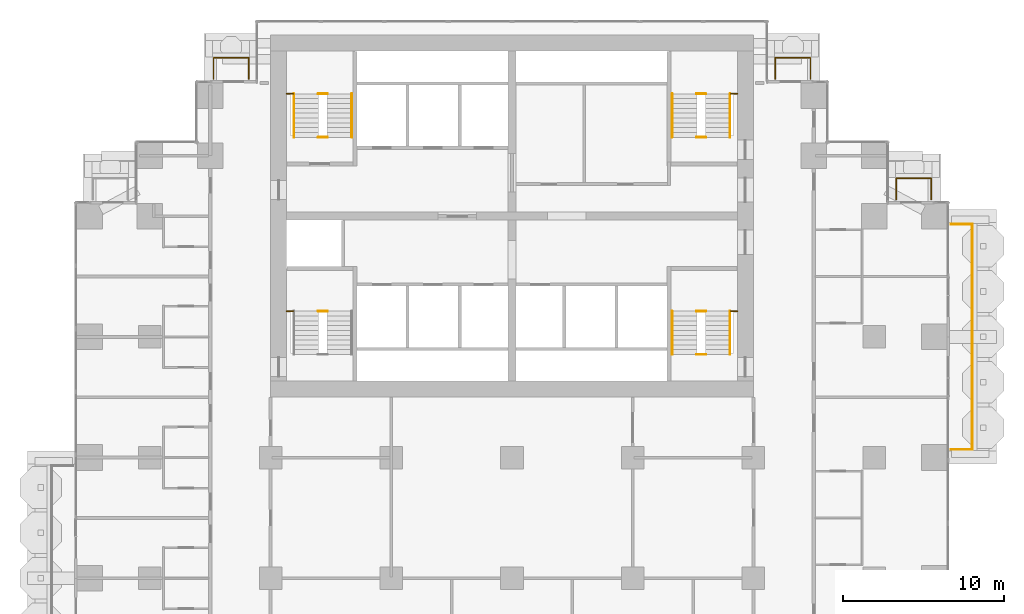
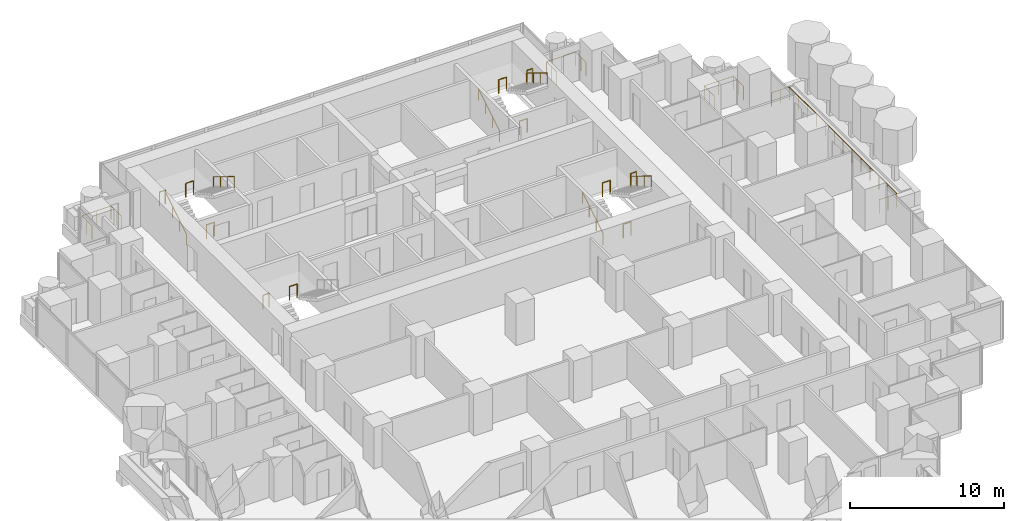
# One storey, part 17 of 18: 21 railings.
"""IFC4 building model written with IfcOpenShell, lengths in metres."""

from ifc_helpers import new_model, si_unit, direction, frame, origin, origin_2d, place, context, subcontext, project, spatial, circle, extrude, material, type_object, element, save


model = new_model("IFC4")

# Units and contexts
model_context = context("Model", 3, precision=1e-05, world=origin(), true_north=direction((0.0, 1.0)))
body_context = subcontext(model_context, "Body", "Model", "MODEL_VIEW")
ifc_project = project(units=[si_unit("LENGTHUNIT", "METRE"), si_unit("AREAUNIT", "SQUARE_METRE"), si_unit("VOLUMEUNIT", "CUBIC_METRE"), si_unit("PLANEANGLEUNIT", "RADIAN"), si_unit("MASSUNIT", "GRAM", prefix="KILO")], contexts=[model_context])

# Site, building, storey
site_placement = place(None, origin())
site = spatial("IfcSite", under=ifc_project, at=site_placement, CompositionType="ELEMENT")
building_placement = place(site_placement, origin())
building = spatial("IfcBuilding", under=site, at=building_placement, Name="Pilkhan Gate Tower", CompositionType="ELEMENT")
storey_placement = place(building_placement, frame((0.0, 0.0, 52.699951171875)))
storey = spatial("IfcBuildingStorey", under=building, at=storey_placement, Name="L10", CompositionType="ELEMENT", Elevation=52.699951171875)

# Railings
ifc_material_1 = material(Name="Pale anodised aluminium posts, laminated glass infill", Category="aluminium")
railing_type_1 = type_object("IfcRailingType", Name="Balcony guard G1", PredefinedType="BALUSTRADE", material=ifc_material_1)
railing_1_placement = place(storey_placement, frame((102.27001953125, 68.0, 0.0)))
element("IfcRailing", 1, at=railing_1_placement, inside=storey, type_object=railing_type_1, Name="Balcony guard L10 E", PredefinedType="BALUSTRADE", context=body_context, shape_type="SweptSolid", body=[
    extrude(circle(Radius=0.02392578125, at=origin_2d()), frame((0.0, 0.0, 1.076171875), z_axis=(1.0, 0.0, 0.0), x_axis=(0.0, 1.0, 0.0)), (0.0, 0.0, 1.0), 1.330078125),
    extrude(circle(Radius=0.02392578125, at=origin_2d()), frame((1.330078125, 0.0, 1.076171875), z_axis=(0.0, 1.0, 0.0), x_axis=(-1.0, 0.0, 0.0)), (0.0, 0.0, 1.0), 14.0),
    extrude(circle(Radius=0.02392578125, at=origin_2d()), frame((1.330078125, 14.0, 1.076171875), z_axis=(-1.0, 0.0, 0.0), x_axis=(0.0, -1.0, 0.0)), (0.0, 0.0, 1.0), 1.330078125),
    extrude(circle(Radius=0.02099609375, at=origin_2d()), origin(), (0.0, 0.0, 1.0), 1.052001953125),
    extrude(circle(Radius=0.02099609375, at=origin_2d()), frame((0.6650390625, 0.0, 0.0)), (0.0, 0.0, 1.0), 1.052001953125),
    extrude(circle(Radius=0.02099609375, at=origin_2d()), frame((1.330078125, 0.0, 0.0)), (0.0, 0.0, 1.0), 1.052001953125),
    extrude(circle(Radius=0.02099609375, at=origin_2d()), frame((1.330078125, 1.166748046875, 0.0)), (0.0, 0.0, 1.0), 1.052001953125),
    extrude(circle(Radius=0.02099609375, at=origin_2d()), frame((1.330078125, 2.333251953125, 0.0)), (0.0, 0.0, 1.0), 1.052001953125),
    extrude(circle(Radius=0.02099609375, at=origin_2d()), frame((1.330078125, 3.5, 0.0)), (0.0, 0.0, 1.0), 1.052001953125),
    extrude(circle(Radius=0.02099609375, at=origin_2d()), frame((1.330078125, 4.666748046875, 0.0)), (0.0, 0.0, 1.0), 1.052001953125),
    extrude(circle(Radius=0.02099609375, at=origin_2d()), frame((1.330078125, 5.833251953125, 0.0)), (0.0, 0.0, 1.0), 1.052001953125),
    extrude(circle(Radius=0.02099609375, at=origin_2d()), frame((1.330078125, 7.0, 0.0)), (0.0, 0.0, 1.0), 1.052001953125),
    extrude(circle(Radius=0.02099609375, at=origin_2d()), frame((1.330078125, 8.166748046875, 0.0)), (0.0, 0.0, 1.0), 1.052001953125),
    extrude(circle(Radius=0.02099609375, at=origin_2d()), frame((1.330078125, 9.333251953125, 0.0)), (0.0, 0.0, 1.0), 1.052001953125),
    extrude(circle(Radius=0.02099609375, at=origin_2d()), frame((1.330078125, 10.5, 0.0)), (0.0, 0.0, 1.0), 1.052001953125),
    extrude(circle(Radius=0.02099609375, at=origin_2d()), frame((1.330078125, 11.666748046875, 0.0)), (0.0, 0.0, 1.0), 1.052001953125),
    extrude(circle(Radius=0.02099609375, at=origin_2d()), frame((1.330078125, 12.833251953125, 0.0)), (0.0, 0.0, 1.0), 1.052001953125),
    extrude(circle(Radius=0.02099609375, at=origin_2d()), frame((1.330078125, 14.0, 0.0)), (0.0, 0.0, 1.0), 1.052001953125),
    extrude(circle(Radius=0.02099609375, at=origin_2d()), frame((0.6650390625, 14.0, 0.0)), (0.0, 0.0, 1.0), 1.052001953125),
    extrude(circle(Radius=0.02099609375, at=origin_2d()), frame((0.0, 14.0, 0.0)), (0.0, 0.0, 1.0), 1.052001953125),
])
for number, where, name in (
    (2, (56.449951171875, 91.02001953125, 0.0), "Balcony guard L10 N"),
    (3, (91.35009765625, 91.02001953125, 0.0), "Balcony guard L10 N"),
):
    element("IfcRailing", number, at=place(storey_placement, frame(where)), inside=storey, type_object=railing_type_1, Name=name, PredefinedType="BALUSTRADE", context=body_context, shape_type="SweptSolid", body=[
        extrude(circle(Radius=0.02392578125, at=origin_2d()), frame((0.0, 0.0, 1.076171875), z_axis=(0.0, 1.0, 0.0), x_axis=(-1.0, 0.0, 0.0)), (0.0, 0.0, 1.0), 1.330078125),
        extrude(circle(Radius=0.02392578125, at=origin_2d()), frame((0.0, 1.330078125, 1.076171875), z_axis=(1.0, 0.0, 0.0), x_axis=(0.0, 1.0, 0.0)), (0.0, 0.0, 1.0), 2.199951171875),
        extrude(circle(Radius=0.02392578125, at=origin_2d()), frame((2.199951171875, 1.330078125, 1.076171875), z_axis=(0.0, -1.0, 0.0), x_axis=(1.0, 0.0, 0.0)), (0.0, 0.0, 1.0), 1.330078125),
        extrude(circle(Radius=0.02099609375, at=origin_2d()), origin(), (0.0, 0.0, 1.0), 1.052001953125),
        extrude(circle(Radius=0.02099609375, at=origin_2d()), frame((0.0, 0.6650390625, 0.0)), (0.0, 0.0, 1.0), 1.052001953125),
        extrude(circle(Radius=0.02099609375, at=origin_2d()), frame((0.0, 1.330078125, 0.0)), (0.0, 0.0, 1.0), 1.052001953125),
        extrude(circle(Radius=0.02099609375, at=origin_2d()), frame((1.10009765625, 1.330078125, 0.0)), (0.0, 0.0, 1.0), 1.052001953125),
        extrude(circle(Radius=0.02099609375, at=origin_2d()), frame((2.199951171875, 1.330078125, 0.0)), (0.0, 0.0, 1.0), 1.052001953125),
        extrude(circle(Radius=0.02099609375, at=origin_2d()), frame((2.199951171875, 0.6650390625, 0.0)), (0.0, 0.0, 1.0), 1.052001953125),
        extrude(circle(Radius=0.02099609375, at=origin_2d()), frame((2.199951171875, 0.0, 0.0)), (0.0, 0.0, 1.0), 1.052001953125),
    ])
railing_2_placement = place(storey_placement, frame((98.8701171875, 83.5400390625, 0.0)))
element("IfcRailing", 4, at=railing_2_placement, inside=storey, type_object=railing_type_1, Name="Balcony guard L10 N", PredefinedType="BALUSTRADE", context=body_context, shape_type="SweptSolid", body=[
    extrude(circle(Radius=0.02392578125, at=origin_2d()), frame((0.0, 0.0, 1.076171875), z_axis=(0.0, 1.0, 0.0), x_axis=(-1.0, 0.0, 0.0)), (0.0, 0.0, 1.0), 1.31005859375),
    extrude(circle(Radius=0.02392578125, at=origin_2d()), frame((0.0, 1.31005859375, 1.076171875), z_axis=(1.0, 0.0, 0.0), x_axis=(0.0, 1.0, 0.0)), (0.0, 0.0, 1.0), 2.179931640625),
    extrude(circle(Radius=0.02392578125, at=origin_2d()), frame((2.179931640625, 1.31005859375, 1.076171875), z_axis=(0.0, -1.0, 0.0), x_axis=(1.0, 0.0, 0.0)), (0.0, 0.0, 1.0), 1.31005859375),
    extrude(circle(Radius=0.02099609375, at=origin_2d()), origin(), (0.0, 0.0, 1.0), 1.052001953125),
    extrude(circle(Radius=0.02099609375, at=origin_2d()), frame((0.0, 0.655029296875, 0.0)), (0.0, 0.0, 1.0), 1.052001953125),
    extrude(circle(Radius=0.02099609375, at=origin_2d()), frame((0.0, 1.31005859375, 0.0)), (0.0, 0.0, 1.0), 1.052001953125),
    extrude(circle(Radius=0.02099609375, at=origin_2d()), frame((1.08984375, 1.31005859375, 0.0)), (0.0, 0.0, 1.0), 1.052001953125),
    extrude(circle(Radius=0.02099609375, at=origin_2d()), frame((2.179931640625, 1.31005859375, 0.0)), (0.0, 0.0, 1.0), 1.052001953125),
    extrude(circle(Radius=0.02099609375, at=origin_2d()), frame((2.179931640625, 0.655029296875, 0.0)), (0.0, 0.0, 1.0), 1.052001953125),
    extrude(circle(Radius=0.02099609375, at=origin_2d()), frame((2.179931640625, 0.0, 0.0)), (0.0, 0.0, 1.0), 1.052001953125),
])
ifc_material_2 = material(Name="Black powder-coated steel tube", Category="steel")
railing_type_2 = type_object("IfcRailingType", Name="Stair handrail HR1", PredefinedType="HANDRAIL", material=ifc_material_2)
railing_3_placement = place(storey_placement, frame((84.949951171875, 73.89990234375, 0.0)))
element("IfcRailing", 5, at=railing_3_placement, inside=storey, type_object=railing_type_2, Name="Stair ST1 handrail L10", PredefinedType="HANDRAIL", context=body_context, shape_type="SweptSolid", body=[
    extrude(circle(Radius=0.02392578125, at=origin_2d()), frame((0.0, 0.0, 0.8759765625), z_axis=(0.0, 0.853278019476, 0.521456250781), x_axis=(-1.0, 0.0, 0.0)), (0.0, 0.0, 1.0), 3.16455078125),
    extrude(circle(Radius=0.02099609375, at=origin_2d()), origin(), (0.0, 0.0, 1.0), 0.851806640625),
    extrude(circle(Radius=0.02099609375, at=origin_2d()), frame((0.0, 0.900146484375, 0.550048828125)), (0.0, 0.0, 1.0), 0.851806640625),
    extrude(circle(Radius=0.02099609375, at=origin_2d()), frame((0.0, 1.800048828125, 1.10009765625)), (0.0, 0.0, 1.0), 0.851806640625),
    extrude(circle(Radius=0.02099609375, at=origin_2d()), frame((0.0, 2.7001953125, 1.650146484375)), (0.0, 0.0, 1.0), 0.851806640625),
])
railing_4_placement = place(storey_placement, frame((88.550048828125, 76.60009765625, 1.650146484375)))
element("IfcRailing", 6, at=railing_4_placement, inside=storey, type_object=railing_type_2, Name="Stair ST1 handrail L10", PredefinedType="HANDRAIL", context=body_context, shape_type="SweptSolid", body=[
    extrude(circle(Radius=0.02392578125, at=origin_2d()), frame((0.0, 0.0, 0.8759765625), z_axis=(0.0, -0.853312346642, 0.521400075823), x_axis=(1.0, 0.0, 0.0)), (0.0, 0.0, 1.0), 3.164306640625),
    extrude(circle(Radius=0.02099609375, at=origin_2d()), origin(), (0.0, 0.0, 1.0), 0.851806640625),
    extrude(circle(Radius=0.02099609375, at=origin_2d()), frame((0.0, -0.900146484375, 0.550048828125)), (0.0, 0.0, 1.0), 0.851806640625),
    extrude(circle(Radius=0.02099609375, at=origin_2d()), frame((0.0, -1.800048828125, 1.099853515625)), (0.0, 0.0, 1.0), 0.851806640625),
    extrude(circle(Radius=0.02099609375, at=origin_2d()), frame((0.0, -2.7001953125, 1.64990234375)), (0.0, 0.0, 1.0), 0.851806640625),
])
railing_5_placement = place(storey_placement, frame((61.449951171875, 87.39990234375, 0.0)))
element("IfcRailing", 7, at=railing_5_placement, inside=storey, type_object=railing_type_2, Name="Stair ST3 handrail L10", PredefinedType="HANDRAIL", context=body_context, shape_type="SweptSolid", body=[
    extrude(circle(Radius=0.02392578125, at=origin_2d()), frame((0.0, 0.0, 0.8759765625), z_axis=(0.0, 0.853278019476, 0.521456250781), x_axis=(-1.0, 0.0, 0.0)), (0.0, 0.0, 1.0), 3.16455078125),
    extrude(circle(Radius=0.02099609375, at=origin_2d()), origin(), (0.0, 0.0, 1.0), 0.851806640625),
    extrude(circle(Radius=0.02099609375, at=origin_2d()), frame((0.0, 0.900146484375, 0.550048828125)), (0.0, 0.0, 1.0), 0.851806640625),
    extrude(circle(Radius=0.02099609375, at=origin_2d()), frame((0.0, 1.800048828125, 1.10009765625)), (0.0, 0.0, 1.0), 0.851806640625),
    extrude(circle(Radius=0.02099609375, at=origin_2d()), frame((0.0, 2.7001953125, 1.650146484375)), (0.0, 0.0, 1.0), 0.851806640625),
])
railing_6_placement = place(storey_placement, frame((65.050048828125, 90.10009765625, 1.650146484375)))
element("IfcRailing", 8, at=railing_6_placement, inside=storey, type_object=railing_type_2, Name="Stair ST3 handrail L10", PredefinedType="HANDRAIL", context=body_context, shape_type="SweptSolid", body=[
    extrude(circle(Radius=0.02392578125, at=origin_2d()), frame((0.0, 0.0, 0.8759765625), z_axis=(0.0, -0.853312346642, 0.521400075823), x_axis=(1.0, 0.0, 0.0)), (0.0, 0.0, 1.0), 3.164306640625),
    extrude(circle(Radius=0.02099609375, at=origin_2d()), origin(), (0.0, 0.0, 1.0), 0.851806640625),
    extrude(circle(Radius=0.02099609375, at=origin_2d()), frame((0.0, -0.900146484375, 0.550048828125)), (0.0, 0.0, 1.0), 0.851806640625),
    extrude(circle(Radius=0.02099609375, at=origin_2d()), frame((0.0, -1.800048828125, 1.099853515625)), (0.0, 0.0, 1.0), 0.851806640625),
    extrude(circle(Radius=0.02099609375, at=origin_2d()), frame((0.0, -2.7001953125, 1.64990234375)), (0.0, 0.0, 1.0), 0.851806640625),
])
railing_7_placement = place(storey_placement, frame((84.949951171875, 87.39990234375, 0.0)))
element("IfcRailing", 9, at=railing_7_placement, inside=storey, type_object=railing_type_2, Name="Stair ST4 handrail L10", PredefinedType="HANDRAIL", context=body_context, shape_type="SweptSolid", body=[
    extrude(circle(Radius=0.02392578125, at=origin_2d()), frame((0.0, 0.0, 0.8759765625), z_axis=(0.0, 0.853278019476, 0.521456250781), x_axis=(-1.0, 0.0, 0.0)), (0.0, 0.0, 1.0), 3.16455078125),
    extrude(circle(Radius=0.02099609375, at=origin_2d()), origin(), (0.0, 0.0, 1.0), 0.851806640625),
    extrude(circle(Radius=0.02099609375, at=origin_2d()), frame((0.0, 0.900146484375, 0.550048828125)), (0.0, 0.0, 1.0), 0.851806640625),
    extrude(circle(Radius=0.02099609375, at=origin_2d()), frame((0.0, 1.800048828125, 1.10009765625)), (0.0, 0.0, 1.0), 0.851806640625),
    extrude(circle(Radius=0.02099609375, at=origin_2d()), frame((0.0, 2.7001953125, 1.650146484375)), (0.0, 0.0, 1.0), 0.851806640625),
])
railing_8_placement = place(storey_placement, frame((88.550048828125, 90.10009765625, 1.650146484375)))
element("IfcRailing", 10, at=railing_8_placement, inside=storey, type_object=railing_type_2, Name="Stair ST4 handrail L10", PredefinedType="HANDRAIL", context=body_context, shape_type="SweptSolid", body=[
    extrude(circle(Radius=0.02392578125, at=origin_2d()), frame((0.0, 0.0, 0.8759765625), z_axis=(0.0, -0.853312346642, 0.521400075823), x_axis=(1.0, 0.0, 0.0)), (0.0, 0.0, 1.0), 3.164306640625),
    extrude(circle(Radius=0.02099609375, at=origin_2d()), origin(), (0.0, 0.0, 1.0), 0.851806640625),
    extrude(circle(Radius=0.02099609375, at=origin_2d()), frame((0.0, -0.900146484375, 0.550048828125)), (0.0, 0.0, 1.0), 0.851806640625),
    extrude(circle(Radius=0.02099609375, at=origin_2d()), frame((0.0, -1.800048828125, 1.099853515625)), (0.0, 0.0, 1.0), 0.851806640625),
    extrude(circle(Radius=0.02099609375, at=origin_2d()), frame((0.0, -2.7001953125, 1.64990234375)), (0.0, 0.0, 1.0), 0.851806640625),
])
ifc_material_3 = material(Name="Black powder-coated steel balusters", Category="steel")
railing_type_3 = type_object("IfcRailingType", Name="Stair well guard G3", PredefinedType="GUARDRAIL", material=ifc_material_3)
railing_9_placement = place(storey_placement, frame((88.580078125, 76.60009765625, 1.650146484375)))
element("IfcRailing", 11, at=railing_9_placement, inside=storey, type_object=railing_type_3, Name="Stair ST1 well guard L10", PredefinedType="GUARDRAIL", context=body_context, shape_type="SweptSolid", body=[
    extrude(circle(Radius=0.02392578125, at=origin_2d()), frame((0.0, 0.0, 1.076171875), z_axis=(1.0, 0.0, 0.0), x_axis=(0.0, 1.0, 0.0)), (0.0, 0.0, 1.0), 0.43994140625),
    extrude(circle(Radius=0.02099609375, at=origin_2d()), origin(), (0.0, 0.0, 1.0), 1.052001953125),
    extrude(circle(Radius=0.02099609375, at=origin_2d()), frame((0.43994140625, 0.0, 0.0)), (0.0, 0.0, 1.0), 1.052001953125),
])
for number, where, name in (
    (12, (86.4599609375, 73.89990234375, 0.0), "Stair ST1 well guard L10"),
    (13, (86.4599609375, 76.60009765625, 1.650146484375), "Stair ST1 well guard L10"),
):
    element("IfcRailing", number, at=place(storey_placement, frame(where)), inside=storey, type_object=railing_type_3, Name=name, PredefinedType="GUARDRAIL", context=body_context, shape_type="SweptSolid", body=[
        extrude(circle(Radius=0.02392578125, at=origin_2d()), frame((0.0, 0.0, 1.076171875), z_axis=(1.0, 0.0, 0.0), x_axis=(0.0, 1.0, 0.0)), (0.0, 0.0, 1.0), 0.580078125),
        extrude(circle(Radius=0.02099609375, at=origin_2d()), origin(), (0.0, 0.0, 1.0), 1.052001953125),
        extrude(circle(Radius=0.02099609375, at=origin_2d()), frame((0.580078125, 0.0, 0.0)), (0.0, 0.0, 1.0), 1.052001953125),
    ])
railing_10_placement = place(storey_placement, frame((60.97998046875, 76.60009765625, 1.650146484375)))
element("IfcRailing", 14, at=railing_10_placement, inside=storey, type_object=railing_type_3, Name="Stair ST2 well guard L10", PredefinedType="GUARDRAIL", context=body_context, shape_type="SweptSolid", body=[
    extrude(circle(Radius=0.02392578125, at=origin_2d()), frame((0.0, 0.0, 1.076171875), z_axis=(1.0, 0.0, 0.0), x_axis=(0.0, 1.0, 0.0)), (0.0, 0.0, 1.0), 0.43994140625),
    extrude(circle(Radius=0.02099609375, at=origin_2d()), origin(), (0.0, 0.0, 1.0), 1.052001953125),
    extrude(circle(Radius=0.02099609375, at=origin_2d()), frame((0.43994140625, 0.0, 0.0)), (0.0, 0.0, 1.0), 1.052001953125),
])
railing_11_placement = place(storey_placement, frame((62.9599609375, 76.60009765625, 1.650146484375)))
element("IfcRailing", 15, at=railing_11_placement, inside=storey, type_object=railing_type_3, Name="Stair ST2 well guard L10", PredefinedType="GUARDRAIL", context=body_context, shape_type="SweptSolid", body=[
    extrude(circle(Radius=0.02392578125, at=origin_2d()), frame((0.0, 0.0, 1.076171875), z_axis=(1.0, 0.0, 0.0), x_axis=(0.0, 1.0, 0.0)), (0.0, 0.0, 1.0), 0.580078125),
    extrude(circle(Radius=0.02099609375, at=origin_2d()), origin(), (0.0, 0.0, 1.0), 1.052001953125),
    extrude(circle(Radius=0.02099609375, at=origin_2d()), frame((0.580078125, 0.0, 0.0)), (0.0, 0.0, 1.0), 1.052001953125),
])
railing_12_placement = place(storey_placement, frame((60.97998046875, 90.10009765625, 1.650146484375)))
element("IfcRailing", 16, at=railing_12_placement, inside=storey, type_object=railing_type_3, Name="Stair ST3 well guard L10", PredefinedType="GUARDRAIL", context=body_context, shape_type="SweptSolid", body=[
    extrude(circle(Radius=0.02392578125, at=origin_2d()), frame((0.0, 0.0, 1.076171875), z_axis=(1.0, 0.0, 0.0), x_axis=(0.0, 1.0, 0.0)), (0.0, 0.0, 1.0), 0.43994140625),
    extrude(circle(Radius=0.02099609375, at=origin_2d()), origin(), (0.0, 0.0, 1.0), 1.052001953125),
    extrude(circle(Radius=0.02099609375, at=origin_2d()), frame((0.43994140625, 0.0, 0.0)), (0.0, 0.0, 1.0), 1.052001953125),
])
for number, where, name in (
    (17, (62.9599609375, 87.39990234375, 0.0), "Stair ST3 well guard L10"),
    (18, (62.9599609375, 90.10009765625, 1.650146484375), "Stair ST3 well guard L10"),
):
    element("IfcRailing", number, at=place(storey_placement, frame(where)), inside=storey, type_object=railing_type_3, Name=name, PredefinedType="GUARDRAIL", context=body_context, shape_type="SweptSolid", body=[
        extrude(circle(Radius=0.02392578125, at=origin_2d()), frame((0.0, 0.0, 1.076171875), z_axis=(1.0, 0.0, 0.0), x_axis=(0.0, 1.0, 0.0)), (0.0, 0.0, 1.0), 0.580078125),
        extrude(circle(Radius=0.02099609375, at=origin_2d()), origin(), (0.0, 0.0, 1.0), 1.052001953125),
        extrude(circle(Radius=0.02099609375, at=origin_2d()), frame((0.580078125, 0.0, 0.0)), (0.0, 0.0, 1.0), 1.052001953125),
    ])
railing_13_placement = place(storey_placement, frame((88.580078125, 90.10009765625, 1.650146484375)))
element("IfcRailing", 19, at=railing_13_placement, inside=storey, type_object=railing_type_3, Name="Stair ST4 well guard L10", PredefinedType="GUARDRAIL", context=body_context, shape_type="SweptSolid", body=[
    extrude(circle(Radius=0.02392578125, at=origin_2d()), frame((0.0, 0.0, 1.076171875), z_axis=(1.0, 0.0, 0.0), x_axis=(0.0, 1.0, 0.0)), (0.0, 0.0, 1.0), 0.43994140625),
    extrude(circle(Radius=0.02099609375, at=origin_2d()), origin(), (0.0, 0.0, 1.0), 1.052001953125),
    extrude(circle(Radius=0.02099609375, at=origin_2d()), frame((0.43994140625, 0.0, 0.0)), (0.0, 0.0, 1.0), 1.052001953125),
])
for number, where, name in (
    (20, (86.4599609375, 87.39990234375, 0.0), "Stair ST4 well guard L10"),
    (21, (86.4599609375, 90.10009765625, 1.650146484375), "Stair ST4 well guard L10"),
):
    element("IfcRailing", number, at=place(storey_placement, frame(where)), inside=storey, type_object=railing_type_3, Name=name, PredefinedType="GUARDRAIL", context=body_context, shape_type="SweptSolid", body=[
        extrude(circle(Radius=0.02392578125, at=origin_2d()), frame((0.0, 0.0, 1.076171875), z_axis=(1.0, 0.0, 0.0), x_axis=(0.0, 1.0, 0.0)), (0.0, 0.0, 1.0), 0.580078125),
        extrude(circle(Radius=0.02099609375, at=origin_2d()), origin(), (0.0, 0.0, 1.0), 1.052001953125),
        extrude(circle(Radius=0.02099609375, at=origin_2d()), frame((0.580078125, 0.0, 0.0)), (0.0, 0.0, 1.0), 1.052001953125),
    ])

save(model, "model.ifc")
